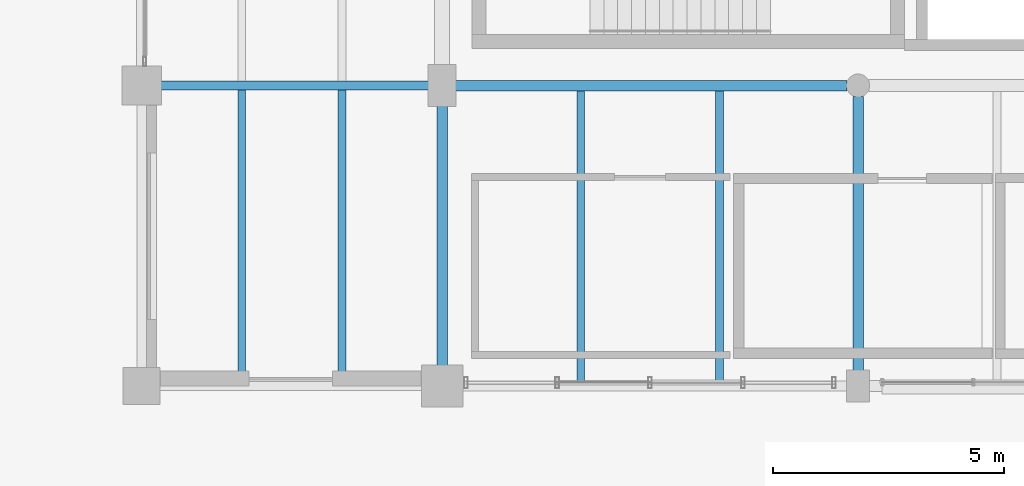
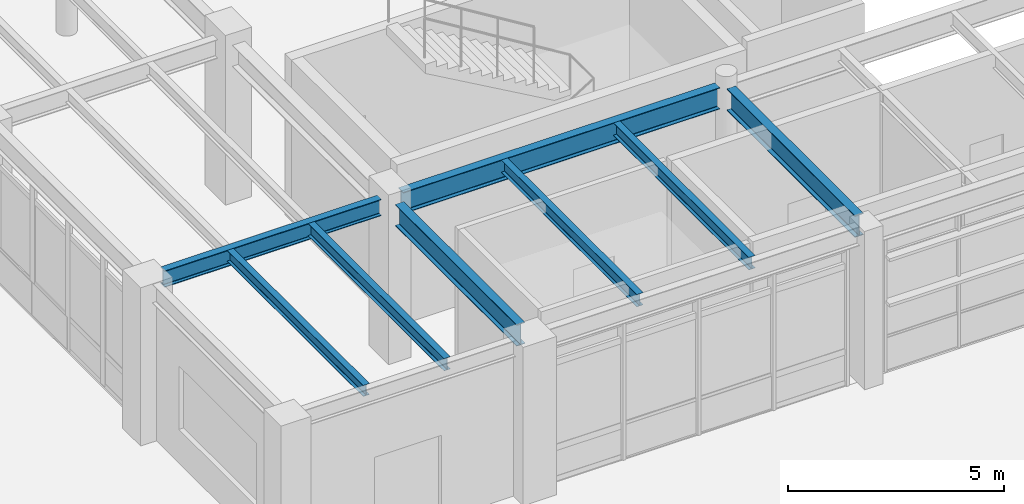
# One storey, part 26 of 200: 8 beams.
"""IFC4 building model written with IfcOpenShell, lengths in metres."""

from ifc_helpers import new_model, si_unit, direction, frame, origin, origin_2d, place, context, subcontext, project, spatial, i_section, extrude, material, material_profile, profile_set, type_object, element, save


model = new_model("IFC4")

# Units and contexts
model_context = context("Model", 3, precision=1e-05, world=origin(), true_north=direction((0.0, 1.0)))
body_context = subcontext(model_context, "Body", "Model", "MODEL_VIEW")
ifc_project = project(units=[si_unit("LENGTHUNIT", "METRE"), si_unit("AREAUNIT", "SQUARE_METRE"), si_unit("VOLUMEUNIT", "CUBIC_METRE"), si_unit("PLANEANGLEUNIT", "RADIAN"), si_unit("MASSUNIT", "GRAM", prefix="KILO"), si_unit("THERMODYNAMICTEMPERATUREUNIT", "KELVIN"), si_unit("POWERUNIT", "WATT")], contexts=[model_context])

# Site, building, storey
site_placement = place(None, origin())
site = spatial("IfcSite", under=ifc_project, at=site_placement, CompositionType="ELEMENT")
building_placement = place(site_placement, origin())
building = spatial("IfcBuilding", under=site, at=building_placement, Name="Tepalcoro Natatorium and Aquatics Centre", CompositionType="ELEMENT")
storey_placement = place(building_placement, frame((0.0, 0.0, 5.39990234375)))
storey = spatial("IfcBuildingStorey", under=building, at=storey_placement, Name="L01", CompositionType="ELEMENT", Elevation=5.39990234375)

# Beams
ifc_material = material(Name="Steel ASTM A992 Grade 50 (Fy 345 MPa)", Category="steel")
ifc_material_profile_1 = material_profile(ifc_material, i_section(OverallWidth=0.193115234375, OverallDepth=0.467041015625, WebThickness=0.010986328125, FlangeThickness=0.01904296875, FilletRadius=0.013916015625, at=origin_2d()), Name="W18X65")
ifc_profile_set_1 = profile_set([ifc_material_profile_1], Name="Steel ASTM A992 Grade 50 (Fy 345 MPa)")
beam_type_1 = type_object("IfcBeamType", Name="BM_W18x65", PredefinedType="BEAM", material=ifc_profile_set_1)
beam_1_placement = place(storey_placement, frame((46.909912109375, 13.0, 4.231689453125), z_axis=(1.0, 0.0, 0.0), x_axis=(0.0, 1.0, 0.0)))
element("IfcBeam", 1, at=beam_1_placement, inside=storey, type_object=beam_type_1, Name="V1 L01 Grid Girder X", PredefinedType="BEAM", context=body_context, shape_type="SweptSolid", body=[
    extrude(i_section(OverallWidth=0.193115234375, OverallDepth=0.467041015625, WebThickness=0.010986328125, FlangeThickness=0.01904296875, FilletRadius=0.013916015625, at=origin_2d()), origin(), (0.0, 0.0, 1.0), 5.80517578125),
])
ifc_material_profile_2 = material_profile(ifc_material, i_section(OverallWidth=0.22802734375, OverallDepth=0.60693359375, WebThickness=0.010986328125, FlangeThickness=0.01708984375, FilletRadius=0.013916015625, at=origin_2d()), Name="W24X76")
ifc_profile_set_2 = profile_set([ifc_material_profile_2], Name="Steel ASTM A992 Grade 50 (Fy 345 MPa)")
beam_type_2 = type_object("IfcBeamType", Name="BM_W24x76", PredefinedType="BEAM", material=ifc_profile_set_2)
beam_2_placement = place(storey_placement, frame((53.284912109375, 13.0, 4.16162109375), z_axis=(1.0, 0.0, 0.0), x_axis=(0.0, 1.0, 0.0)))
element("IfcBeam", 2, at=beam_2_placement, inside=storey, type_object=beam_type_2, Name="V1 L01 Grid Girder X", PredefinedType="BEAM", context=body_context, shape_type="SweptSolid", body=[
    extrude(i_section(OverallWidth=0.22802734375, OverallDepth=0.60693359375, WebThickness=0.010986328125, FlangeThickness=0.01708984375, FilletRadius=0.013916015625, at=origin_2d()), origin(), (0.0, 0.0, 1.0), 8.47998046875),
])
beam_3_placement = place(storey_placement, frame((53.0, 6.93505859375, 4.16162109375), z_axis=(0.0, 1.0, 0.0), x_axis=(-1.0, 0.0, 0.0)))
element("IfcBeam", 3, at=beam_3_placement, inside=storey, type_object=beam_type_2, Name="V1 L01 Grid Girder Y", PredefinedType="BEAM", context=body_context, shape_type="SweptSolid", body=[
    extrude(i_section(OverallWidth=0.22802734375, OverallDepth=0.60693359375, WebThickness=0.010986328125, FlangeThickness=0.01708984375, FilletRadius=0.013916015625, at=origin_2d()), origin(), (0.0, 0.0, 1.0), 5.6298828125),
])
ifc_material_profile_3 = material_profile(ifc_material, i_section(OverallWidth=0.22998046875, OverallDepth=0.616943359375, WebThickness=0.012939453125, FlangeThickness=0.02197265625, FilletRadius=0.013916015625, at=origin_2d()), Name="W24X94")
ifc_profile_set_3 = profile_set([ifc_material_profile_3], Name="Steel ASTM A992 Grade 50 (Fy 345 MPa)")
beam_type_3 = type_object("IfcBeamType", Name="BM_W24x94", PredefinedType="BEAM", material=ifc_profile_set_3)
beam_4_placement = place(storey_placement, frame((62.0, 6.8349609375, 4.156494140625), z_axis=(0.0, 1.0, 0.0), x_axis=(-1.0, 0.0, 0.0)))
element("IfcBeam", 4, at=beam_4_placement, inside=storey, type_object=beam_type_3, Name="V1 L01 Grid Girder Y", PredefinedType="BEAM", context=body_context, shape_type="SweptSolid", body=[
    extrude(i_section(OverallWidth=0.22998046875, OverallDepth=0.616943359375, WebThickness=0.012939453125, FlangeThickness=0.02197265625, FilletRadius=0.013916015625, at=origin_2d()), origin(), (0.0, 0.0, 1.0), 5.929931640625),
])
ifc_material_profile_4 = material_profile(ifc_material, i_section(OverallWidth=0.1669921875, OverallDepth=0.318115234375, WebThickness=0.008056640625, FlangeThickness=0.012939453125, FilletRadius=0.013916015625, at=origin_2d()), Name="W12X35")
ifc_profile_set_4 = profile_set([ifc_material_profile_4], Name="Steel ASTM A992 Grade 50 (Fy 345 MPa)")
beam_type_4 = type_object("IfcBeamType", Name="JS_W12x35", PredefinedType="JOIST", material=ifc_profile_set_4)
beam_5_placement = place(storey_placement, frame((48.666748046875, 6.595458984375, 4.30615234375), z_axis=(0.0, 1.0, 0.0), x_axis=(-1.0, 0.0, 0.0)))
element("IfcBeam", 5, at=beam_5_placement, inside=storey, type_object=beam_type_4, Name="V1 L01 Floor Joist", PredefinedType="JOIST", context=body_context, shape_type="SweptSolid", body=[
    extrude(i_section(OverallWidth=0.1669921875, OverallDepth=0.318115234375, WebThickness=0.008056640625, FlangeThickness=0.012939453125, FilletRadius=0.013916015625, at=origin_2d()), origin(), (0.0, 0.0, 1.0), 6.30810546875),
])
ifc_material_profile_5 = material_profile(ifc_material, i_section(OverallWidth=0.1708984375, OverallDepth=0.35107421875, WebThickness=0.007080078125, FlangeThickness=0.010009765625, FilletRadius=0.013916015625, at=origin_2d()), Name="W14X30")
ifc_profile_set_5 = profile_set([ifc_material_profile_5], Name="Steel ASTM A992 Grade 50 (Fy 345 MPa)")
beam_type_5 = type_object("IfcBeamType", Name="JS_W14x30", PredefinedType="JOIST", material=ifc_profile_set_5)
beam_6_placement = place(storey_placement, frame((50.833251953125, 6.595458984375, 4.28955078125), z_axis=(0.0, 1.0, 0.0), x_axis=(-1.0, 0.0, 0.0)))
element("IfcBeam", 6, at=beam_6_placement, inside=storey, type_object=beam_type_5, Name="V1 L01 Floor Joist", PredefinedType="JOIST", context=body_context, shape_type="SweptSolid", body=[
    extrude(i_section(OverallWidth=0.1708984375, OverallDepth=0.35107421875, WebThickness=0.007080078125, FlangeThickness=0.010009765625, FilletRadius=0.013916015625, at=origin_2d()), origin(), (0.0, 0.0, 1.0), 6.30810546875),
])
beam_7_placement = place(storey_placement, frame((56.0, 6.60498046875, 4.28955078125), z_axis=(0.0, 1.0, 0.0), x_axis=(-1.0, 0.0, 0.0)))
element("IfcBeam", 7, at=beam_7_placement, inside=storey, type_object=beam_type_5, Name="V1 L01 Floor Joist", PredefinedType="JOIST", context=body_context, shape_type="SweptSolid", body=[
    extrude(i_section(OverallWidth=0.1708984375, OverallDepth=0.35107421875, WebThickness=0.007080078125, FlangeThickness=0.010009765625, FilletRadius=0.013916015625, at=origin_2d()), origin(), (0.0, 0.0, 1.0), 6.281005859375),
])
ifc_material_profile_6 = material_profile(ifc_material, i_section(OverallWidth=0.172119140625, OverallDepth=0.35791015625, WebThickness=0.008056640625, FlangeThickness=0.012939453125, FilletRadius=0.013916015625, at=origin_2d()), Name="W14X38")
ifc_profile_set_6 = profile_set([ifc_material_profile_6], Name="Steel ASTM A992 Grade 50 (Fy 345 MPa)")
beam_type_6 = type_object("IfcBeamType", Name="JS_W14x38", PredefinedType="JOIST", material=ifc_profile_set_6)
beam_8_placement = place(storey_placement, frame((59.0, 6.60498046875, 4.2861328125), z_axis=(0.0, 1.0, 0.0), x_axis=(-1.0, 0.0, 0.0)))
element("IfcBeam", 8, at=beam_8_placement, inside=storey, type_object=beam_type_6, Name="V1 L01 Floor Joist", PredefinedType="JOIST", context=body_context, shape_type="SweptSolid", body=[
    extrude(i_section(OverallWidth=0.172119140625, OverallDepth=0.35791015625, WebThickness=0.008056640625, FlangeThickness=0.012939453125, FilletRadius=0.013916015625, at=origin_2d()), origin(), (0.0, 0.0, 1.0), 6.281005859375),
])

save(model, "model.ifc")
